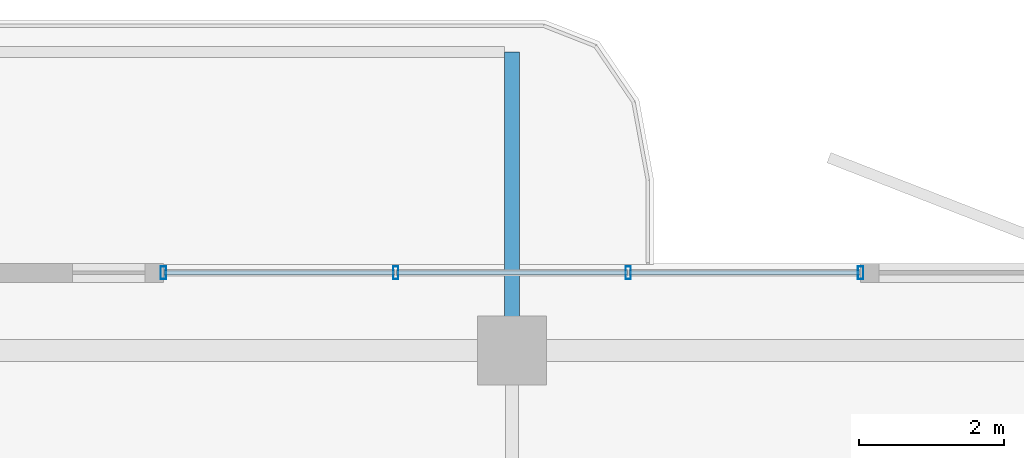
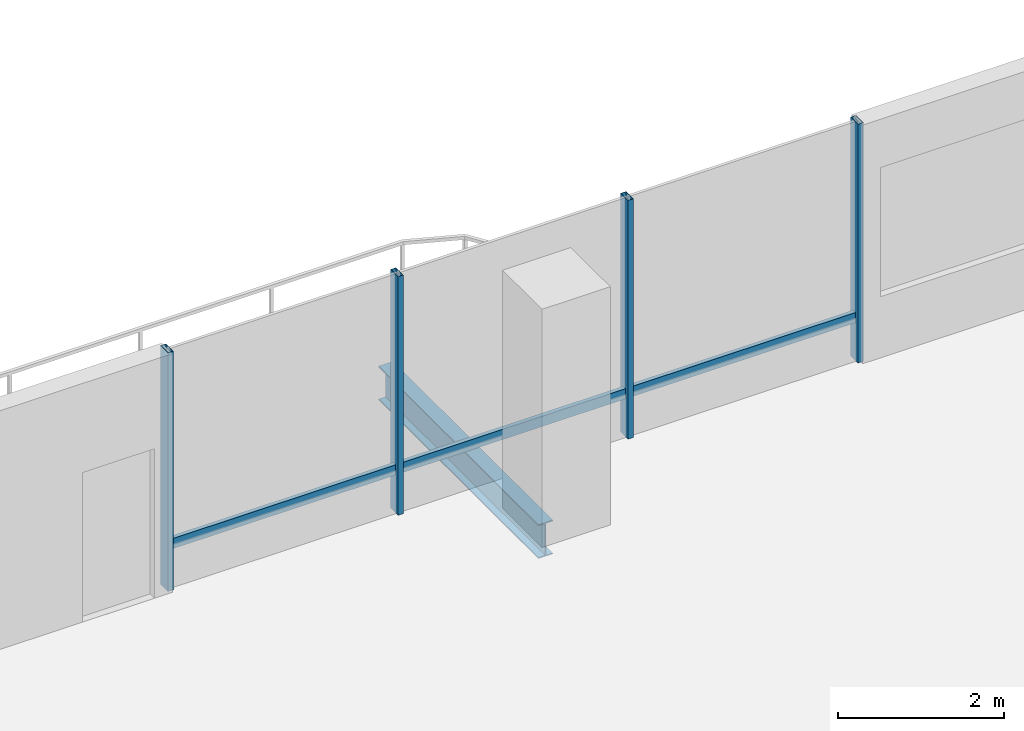
# One storey, part 10 of 18: 7 members, 1 beam, 1 element without a shape of its own.
"""IFC4 building model written with IfcOpenShell, lengths in metres."""

from ifc_helpers import new_model, si_unit, direction, frame, origin, origin_2d, place, context, subcontext, project, spatial, hollow_rectangle, i_section, extrude, material, layer, layer_set, material_profile, profile_set, type_object, element, aggregate, save


model = new_model("IFC4")

# Units and contexts
model_context = context("Model", 3, precision=1e-05, world=origin(), true_north=direction((0.0, 1.0)))
body_context = subcontext(model_context, "Body", "Model", "MODEL_VIEW")
ifc_project = project(units=[si_unit("LENGTHUNIT", "METRE"), si_unit("AREAUNIT", "SQUARE_METRE"), si_unit("VOLUMEUNIT", "CUBIC_METRE"), si_unit("PLANEANGLEUNIT", "RADIAN"), si_unit("MASSUNIT", "GRAM", prefix="KILO")], contexts=[model_context])

# Site, building, storey
site_placement = place(None, origin())
site = spatial("IfcSite", under=ifc_project, at=site_placement, CompositionType="ELEMENT")
building_placement = place(site_placement, origin())
building = spatial("IfcBuilding", under=site, at=building_placement, Name="Belovzor Exchange Tower", CompositionType="ELEMENT")
storey_placement = place(building_placement, frame((0.0, 0.0, 310.5)))
storey = spatial("IfcBuildingStorey", under=building, at=storey_placement, Name="L77", CompositionType="ELEMENT", Elevation=310.5)

# Beam
ifc_material_1 = material(Name="Steel S355", Category="steel")
ifc_material_profile_1 = material_profile(ifc_material_1, i_section(OverallWidth=0.199951171875, OverallDepth=0.5, WebThickness=0.01025390625, FlangeThickness=0.01611328125, at=origin_2d()))
ifc_profile_set_1 = profile_set([ifc_material_profile_1], Name="Steel S355")
beam_type = type_object("IfcBeamType", Name="Planted Balcony Cantilever Beam IPE 500", PredefinedType="BEAM", material=ifc_profile_set_1)
beam_placement = place(storey_placement, frame((28.800048828125, 50.660888671875, -0.489990234375), z_axis=(0.0, 1.0, 0.0), x_axis=(-1.0, 0.0, 0.0)))
element("IfcBeam", 1, at=beam_placement, inside=storey, type_object=beam_type, Name="BC-500 Planted Balcony Cantilever Beam IPE 500", PredefinedType="BEAM", context=body_context, shape_type="SweptSolid", body=[
    extrude(i_section(OverallWidth=0.199951171875, OverallDepth=0.5, WebThickness=0.01025390625, FlangeThickness=0.01611328125, at=origin_2d()), origin(), (0.0, 0.0, 1.0), 3.85009765625),
])

# Curtain wall, members
ifc_material_2 = material(Name="Anodised Aluminium Framing", Category="aluminium")
ifc_layer = layer(ifc_material_2, 0.179931640625)
ifc_layer_set = layer_set([ifc_layer], Name="Anodised Aluminium Framing")
curtain_wall_type = type_object("IfcCurtainWallType", Name="Recessed Loggia Low-Iron Triple-Glazed Curtain Wall", PredefinedType="NOTDEFINED", material=ifc_layer_set)
curtain_wall_placement = place(storey_placement, origin())
curtain_wall = element("IfcCurtainWall", 2, at=curtain_wall_placement, inside=storey, type_object=curtain_wall_type, Name="CW3 Recessed Loggia Low-Iron Triple-Glazed Curtain Wall L77", PredefinedType="NOTDEFINED")
ifc_material_3 = material(Name="Steel S355", Category="steel")
ifc_material_profile_2 = material_profile(ifc_material_3, hollow_rectangle(XDim=0.074951171875, YDim=0.179931640625, WallThickness=0.0048828125, at=origin_2d()))
ifc_profile_set_2 = profile_set([ifc_material_profile_2], Name="Steel S355")
member_type_1 = type_object("IfcMemberType", Name="Thermally Broken Curtain Wall Mullion 180x75", PredefinedType="MULLION", material=ifc_profile_set_2)
member_1_placement = place(storey_placement, frame((24.0, 51.469970703125, 0.0), z_axis=(0.0, 0.0, 1.0), x_axis=(1.0, 0.0, 0.0)))
member_1 = element("IfcMember", 3, at=member_1_placement, type_object=member_type_1, Name="CW-M180 Curtain Wall Mullion 1", PredefinedType="MULLION", context=body_context, shape_type="SweptSolid", body=[
    extrude(hollow_rectangle(XDim=0.074951171875, YDim=0.179931640625, WallThickness=0.0048828125, at=origin_2d()), origin(), (0.0, 0.0, 1.0), 3.510009765625),
])
member_2_placement = place(storey_placement, frame((27.199951171875, 51.469970703125, 0.0), z_axis=(0.0, 0.0, 1.0), x_axis=(1.0, 0.0, 0.0)))
member_2 = element("IfcMember", 4, at=member_2_placement, type_object=member_type_1, Name="CW-M180 Curtain Wall Mullion 2", PredefinedType="MULLION", context=body_context, shape_type="SweptSolid", body=[
    extrude(hollow_rectangle(XDim=0.074951171875, YDim=0.179931640625, WallThickness=0.0048828125, at=origin_2d()), origin(), (0.0, 0.0, 1.0), 3.510009765625),
])
member_3_placement = place(storey_placement, frame((30.39990234375, 51.469970703125, 0.0), z_axis=(0.0, 0.0, 1.0), x_axis=(1.0, 0.0, 0.0)))
member_3 = element("IfcMember", 5, at=member_3_placement, type_object=member_type_1, Name="CW-M180 Curtain Wall Mullion 3", PredefinedType="MULLION", context=body_context, shape_type="SweptSolid", body=[
    extrude(hollow_rectangle(XDim=0.074951171875, YDim=0.179931640625, WallThickness=0.0048828125, at=origin_2d()), origin(), (0.0, 0.0, 1.0), 3.510009765625),
])
member_4_placement = place(storey_placement, frame((33.60009765625, 51.469970703125, 0.0), z_axis=(0.0, 0.0, 1.0), x_axis=(1.0, 0.0, 0.0)))
member_4 = element("IfcMember", 6, at=member_4_placement, type_object=member_type_1, Name="CW-M180 Curtain Wall Mullion 4", PredefinedType="MULLION", context=body_context, shape_type="SweptSolid", body=[
    extrude(hollow_rectangle(XDim=0.074951171875, YDim=0.179931640625, WallThickness=0.0048828125, at=origin_2d()), origin(), (0.0, 0.0, 1.0), 3.510009765625),
])
ifc_material_4 = material(Name="Steel S355", Category="steel")
ifc_material_profile_3 = material_profile(ifc_material_4, hollow_rectangle(XDim=0.06005859375, YDim=0.14990234375, WallThickness=0.00390625, at=origin_2d()))
ifc_profile_set_3 = profile_set([ifc_material_profile_3], Name="Steel S355")
member_type_2 = type_object("IfcMemberType", Name="Thermally Broken Curtain Wall Transom 150x60", PredefinedType="USERDEFINED", material=ifc_profile_set_3)
member_5_placement = place(storey_placement, frame((24.008056640625, 51.469970703125, 0.632080078125), z_axis=(1.0, 0.0, 0.0), x_axis=(0.0, 1.0, 0.0)))
member_5 = element("IfcMember", 7, at=member_5_placement, type_object=member_type_2, Name="CW-T150 Curtain Wall Transom 1", ObjectType="TRANSOM", PredefinedType="USERDEFINED", context=body_context, shape_type="SweptSolid", body=[
    extrude(hollow_rectangle(XDim=0.06005859375, YDim=0.14990234375, WallThickness=0.00390625, at=origin_2d()), origin(), (0.0, 0.0, 1.0), 3.183837890625),
])
member_6_placement = place(storey_placement, frame((27.2080078125, 51.469970703125, 0.632080078125), z_axis=(1.0, 0.0, 0.0), x_axis=(0.0, 1.0, 0.0)))
member_6 = element("IfcMember", 8, at=member_6_placement, type_object=member_type_2, Name="CW-T150 Curtain Wall Transom 2", ObjectType="TRANSOM", PredefinedType="USERDEFINED", context=body_context, shape_type="SweptSolid", body=[
    extrude(hollow_rectangle(XDim=0.06005859375, YDim=0.14990234375, WallThickness=0.00390625, at=origin_2d()), origin(), (0.0, 0.0, 1.0), 3.18408203125),
])
member_7_placement = place(storey_placement, frame((30.407958984375, 51.469970703125, 0.632080078125), z_axis=(1.0, 0.0, 0.0), x_axis=(0.0, 1.0, 0.0)))
member_7 = element("IfcMember", 9, at=member_7_placement, type_object=member_type_2, Name="CW-T150 Curtain Wall Transom 3", ObjectType="TRANSOM", PredefinedType="USERDEFINED", context=body_context, shape_type="SweptSolid", body=[
    extrude(hollow_rectangle(XDim=0.06005859375, YDim=0.14990234375, WallThickness=0.00390625, at=origin_2d()), origin(), (0.0, 0.0, 1.0), 3.18408203125),
])
aggregate(curtain_wall, [member_1, member_2, member_3, member_4, member_5, member_6, member_7])

save(model, "model.ifc")
